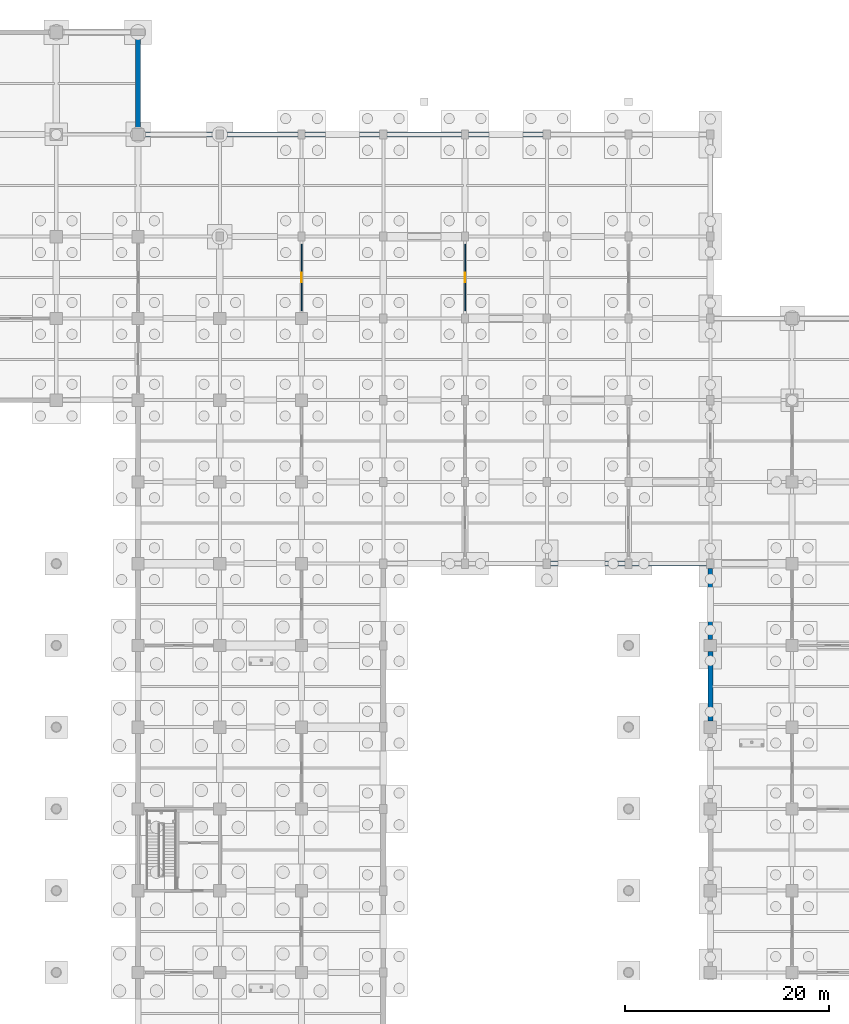
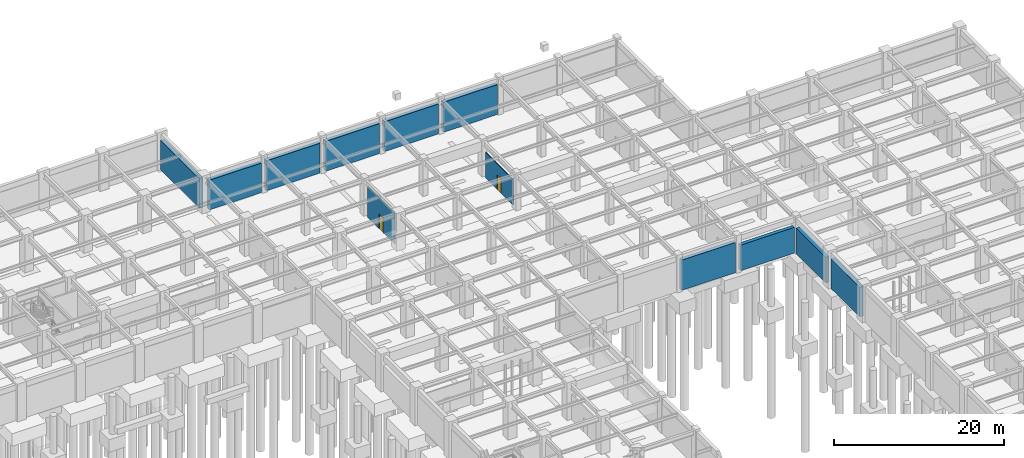
# One storey, part 83 of 97: 12 walls, 2 doors, 2 openings.
"""IFC4 building model written with IfcOpenShell, lengths in metres."""

from ifc_helpers import new_model, si_unit, direction, frame, frame_2d, origin, place, context, subcontext, project, spatial, rectangle, extrude, material, layer, layer_set, type_object, element, fill, save


model = new_model("IFC4")

# Units and contexts
model_context = context("Model", 3, precision=1e-05, world=origin(), true_north=direction((0.0, 1.0)))
body_context = subcontext(model_context, "Body", "Model", "MODEL_VIEW")
ifc_project = project(units=[si_unit("LENGTHUNIT", "METRE"), si_unit("AREAUNIT", "SQUARE_METRE"), si_unit("VOLUMEUNIT", "CUBIC_METRE"), si_unit("PLANEANGLEUNIT", "RADIAN"), si_unit("MASSUNIT", "GRAM", prefix="KILO")], contexts=[model_context])

# Site, building, storey
site_placement = place(None, origin())
site = spatial("IfcSite", under=ifc_project, at=site_placement, CompositionType="ELEMENT")
building_placement = place(site_placement, origin())
building = spatial("IfcBuilding", under=site, at=building_placement, Name="Haebicheon Civic Stadium", CompositionType="ELEMENT")
storey_placement = place(building_placement, frame((0.0, 0.0, -5.39990234375)))
storey = spatial("IfcBuildingStorey", under=building, at=storey_placement, Name="B1", CompositionType="ELEMENT", Elevation=-5.39990234375)

# Walls
ifc_material_1 = material(Name="Concrete C40/50", Category="concrete")
ifc_layer_1 = layer(ifc_material_1, 0.4599609375, Name="Concrete C40/50")
ifc_layer_set_1 = layer_set([ifc_layer_1], Name="Concrete C40/50")
wall_type_1 = type_object("IfcWallType", Name="EW-RET-460", PredefinedType="STANDARD", material=ifc_layer_set_1)
for number, where, z_axis, x_axis, name in (
    (1, (152.35009765625, 178.0, 0.0), (0.0, 0.0, 1.0), (1.0, 0.0, 0.0), "B1 retaining wall 19-22-N"),
    (2, (168.35009765625, 178.0, 0.0), (0.0, 0.0, 1.0), (1.0, 0.0, 0.0), "B1 retaining wall 21-22-N"),
):
    element("IfcWall", number, at=place(storey_placement, frame(where, z_axis=z_axis, x_axis=x_axis)), inside=storey, type_object=wall_type_1, material=ifc_layer_set_1, Name=name, PredefinedType="STANDARD", context=body_context, shape_type="SweptSolid", body=[
        extrude(rectangle(XDim=7.2998046875, YDim=0.4599609375, at=frame_2d((3.64990234375, 0.0))), origin(), (0.0, 0.0, 1.0), 4.289794921875),
    ])
wall_1_placement = place(storey_placement, frame((192.35009765625, 136.0, 0.0), z_axis=(0.0, 0.0, 1.0), x_axis=(1.0, 0.0, 0.0)))
element("IfcWall", 3, at=wall_1_placement, inside=storey, type_object=wall_type_1, material=ifc_layer_set_1, Name="B1 retaining wall 24-17-S", PredefinedType="STANDARD", context=body_context, shape_type="SweptSolid", body=[
    extrude(rectangle(XDim=7.2998046875, YDim=0.4599609375, at=frame_2d((3.64990234375, 0.0))), origin(), (0.0, 0.0, 1.0), 3.68994140625),
])
wall_2_placement = place(storey_placement, frame((200.0, 128.60009765625, 0.0), z_axis=(0.0, 0.0, 1.0), x_axis=(0.0, 1.0, 0.0)))
element("IfcWall", 4, at=wall_2_placement, inside=storey, type_object=wall_type_1, material=ifc_layer_set_1, Name="B1 retaining wall 25-16-W", PredefinedType="STANDARD", context=body_context, shape_type="SweptSolid", body=[
    extrude(rectangle(XDim=6.949951171875, YDim=0.4599609375, at=frame_2d((3.47509765625, 0.0))), origin(), (0.0, 0.0, 1.0), 3.68994140625),
])
ifc_material_2 = material(Name="Concrete C40/50", Category="concrete")
ifc_layer_2 = layer(ifc_material_2, 0.5, Name="Concrete C40/50")
ifc_layer_set_2 = layer_set([ifc_layer_2], Name="Concrete C40/50")
wall_type_2 = type_object("IfcWallType", Name="EW-RET-500", PredefinedType="STANDARD", material=ifc_layer_set_2)
wall_3_placement = place(storey_placement, frame((144.0, 178.60009765625, 0.0), z_axis=(0.0, 0.0, 1.0), x_axis=(0.0, 1.0, 0.0)))
element("IfcWall", 5, at=wall_3_placement, inside=storey, type_object=wall_type_2, material=ifc_layer_set_2, Name="B1 retaining wall 18-22-E", PredefinedType="STANDARD", context=body_context, shape_type="SweptSolid", body=[
    extrude(rectangle(XDim=9.099853515625, YDim=0.5, at=frame_2d((4.5498046875, 0.0))), origin(), (0.0, 0.0, 1.0), 4.239990234375),
])
wall_4_placement = place(storey_placement, frame((144.60009765625, 178.0, 0.0), z_axis=(0.0, 0.0, 1.0), x_axis=(1.0, 0.0, 0.0)))
element("IfcWall", 6, at=wall_4_placement, inside=storey, type_object=wall_type_2, material=ifc_layer_set_2, Name="B1 retaining wall 18-22-N", PredefinedType="STANDARD", context=body_context, shape_type="SweptSolid", body=[
    extrude(rectangle(XDim=7.0498046875, YDim=0.5, at=frame_2d((3.52490234375, 0.0))), origin(), (0.0, 0.0, 1.0), 4.239990234375),
])
for number, where, z_axis, x_axis, name in (
    (7, (160.35009765625, 178.0, 0.0), (0.0, 0.0, 1.0), (1.0, 0.0, 0.0), "B1 retaining wall 20-22-N"),
    (8, (176.35009765625, 178.0, 0.0), (0.0, 0.0, 1.0), (1.0, 0.0, 0.0), "B1 retaining wall 22-22-N"),
):
    element("IfcWall", number, at=place(storey_placement, frame(where, z_axis=z_axis, x_axis=x_axis)), inside=storey, type_object=wall_type_2, material=ifc_layer_set_2, Name=name, PredefinedType="STANDARD", context=body_context, shape_type="SweptSolid", body=[
        extrude(rectangle(XDim=7.2998046875, YDim=0.5, at=frame_2d((3.64990234375, 0.0))), origin(), (0.0, 0.0, 1.0), 4.289794921875),
    ])
wall_5_placement = place(storey_placement, frame((184.35009765625, 136.0, 0.0), z_axis=(0.0, 0.0, 1.0), x_axis=(1.0, 0.0, 0.0)))
element("IfcWall", 9, at=wall_5_placement, inside=storey, type_object=wall_type_2, material=ifc_layer_set_2, Name="B1 retaining wall 23-17-S", PredefinedType="STANDARD", context=body_context, shape_type="SweptSolid", body=[
    extrude(rectangle(XDim=7.2998046875, YDim=0.5, at=frame_2d((3.64990234375, 0.0))), origin(), (0.0, 0.0, 1.0), 4.33984375),
])
wall_6_placement = place(storey_placement, frame((200.0, 120.60009765625, 0.0), z_axis=(0.0, 0.0, 1.0), x_axis=(0.0, 1.0, 0.0)))
element("IfcWall", 10, at=wall_6_placement, inside=storey, type_object=wall_type_2, material=ifc_layer_set_2, Name="B1 retaining wall 25-15-W", PredefinedType="STANDARD", context=body_context, shape_type="SweptSolid", body=[
    extrude(rectangle(XDim=6.7998046875, YDim=0.5, at=frame_2d((3.39990234375, 0.0))), origin(), (0.0, 0.0, 1.0), 4.239990234375),
])

# Wall, opening, door
ifc_material_3 = material(Name="Anodised aluminium and laminated glass", Category="aluminium")
ifc_layer_3 = layer(ifc_material_3, 0.10009765625, Name="Anodised aluminium and laminated glass")
ifc_layer_set_3 = layer_set([ifc_layer_3], Name="Anodised aluminium and laminated glass")
wall_type_3 = type_object("IfcWallType", Name="IW-PRT-100", PredefinedType="PARTITIONING", material=ifc_layer_set_3)
wall_7_placement = place(storey_placement, frame((160.0, 160.75, 0.0), z_axis=(0.0, 0.0, 1.0), x_axis=(0.0, 1.0, 0.0)))
wall_7 = element("IfcWall", 11, at=wall_7_placement, inside=storey, type_object=wall_type_3, material=ifc_layer_set_3, Name="B1 Broadcast Fibre Patch Room partition wall", PredefinedType="PARTITIONING", context=body_context, shape_type="SweptSolid", body=[
    extrude(rectangle(XDim=6.5, YDim=0.10009765625, at=frame_2d((3.25, 0.0))), origin(), (0.0, 0.0, 1.0), 4.389892578125),
])
opening_1_placement = place(wall_7_placement, frame((2.77490234375, 0.0, 0.0)))
opening_1 = element("IfcOpeningElement", 12, at=opening_1_placement, cuts=wall_7, Name="Opening D-B1-083", PredefinedType="OPENING", context=body_context, shape_type="SweptSolid", body=[
    extrude(rectangle(XDim=0.949951171875, YDim=2.10009765625, at=frame_2d((0.47509765625, 1.050048828125))), frame((0.0, 0.06005859375, 0.0), z_axis=(0.0, -1.0, 0.0), x_axis=(1.0, 0.0, 0.0)), (0.0, 0.0, 1.0), 0.1201171875),
])
ifc_material_4 = material(Name="Engineered hardwood timber", Category="wood")
door_type = type_object("IfcDoorType", Name="ID-RM-0950", OperationType="NOTDEFINED", PredefinedType="DOOR", material=ifc_material_4)
door_1_placement = place(opening_1_placement, origin())
door_1 = element("IfcDoor", 13, at=door_1_placement, inside=storey, type_object=door_type, material=ifc_material_4, Name="B1 Broadcast Fibre Patch Room entrance door D-B1-083", OperationType="SINGLE_SWING_LEFT", OverallHeight=2.10009765625, OverallWidth=0.949951171875, PredefinedType="DOOR", context=body_context, shape_type="SweptSolid", body=[
    extrude(rectangle(XDim=0.949951171875, YDim=2.10009765625, at=frame_2d((0.47509765625, 1.050048828125))), frame((0.0, 0.02490234375, 0.0), z_axis=(0.0, -1.0, 0.0), x_axis=(1.0, 0.0, 0.0)), (0.0, 0.0, 1.0), 0.050048828125),
])
fill(opening_1, door_1)

wall_8_placement = place(storey_placement, frame((176.0, 160.75, 0.0), z_axis=(0.0, 0.0, 1.0), x_axis=(0.0, 1.0, 0.0)))
wall_8 = element("IfcWall", 14, at=wall_8_placement, inside=storey, type_object=wall_type_3, material=ifc_layer_set_3, Name="B1 Broadcast Fibre Patch Room partition wall", PredefinedType="PARTITIONING", context=body_context, shape_type="SweptSolid", body=[
    extrude(rectangle(XDim=6.5, YDim=0.10009765625, at=frame_2d((3.25, 0.0))), origin(), (0.0, 0.0, 1.0), 3.68994140625),
])
opening_2_placement = place(wall_8_placement, frame((2.77490234375, 0.0, 0.0)))
opening_2 = element("IfcOpeningElement", 15, at=opening_2_placement, cuts=wall_8, Name="Opening D-B1-089", PredefinedType="OPENING", context=body_context, shape_type="SweptSolid", body=[
    extrude(rectangle(XDim=0.949951171875, YDim=2.10009765625, at=frame_2d((0.47509765625, 1.050048828125))), frame((0.0, 0.06005859375, 0.0), z_axis=(0.0, -1.0, 0.0), x_axis=(1.0, 0.0, 0.0)), (0.0, 0.0, 1.0), 0.1201171875),
])
door_2_placement = place(opening_2_placement, origin())
door_2 = element("IfcDoor", 16, at=door_2_placement, inside=storey, type_object=door_type, material=ifc_material_4, Name="B1 Broadcast Fibre Patch Room entrance door D-B1-089", OperationType="SINGLE_SWING_LEFT", OverallHeight=2.10009765625, OverallWidth=0.949951171875, PredefinedType="DOOR", context=body_context, shape_type="SweptSolid", body=[
    extrude(rectangle(XDim=0.949951171875, YDim=2.10009765625, at=frame_2d((0.47509765625, 1.050048828125))), frame((0.0, 0.02490234375, 0.0), z_axis=(0.0, -1.0, 0.0), x_axis=(1.0, 0.0, 0.0)), (0.0, 0.0, 1.0), 0.050048828125),
])
fill(opening_2, door_2)

save(model, "model.ifc")
